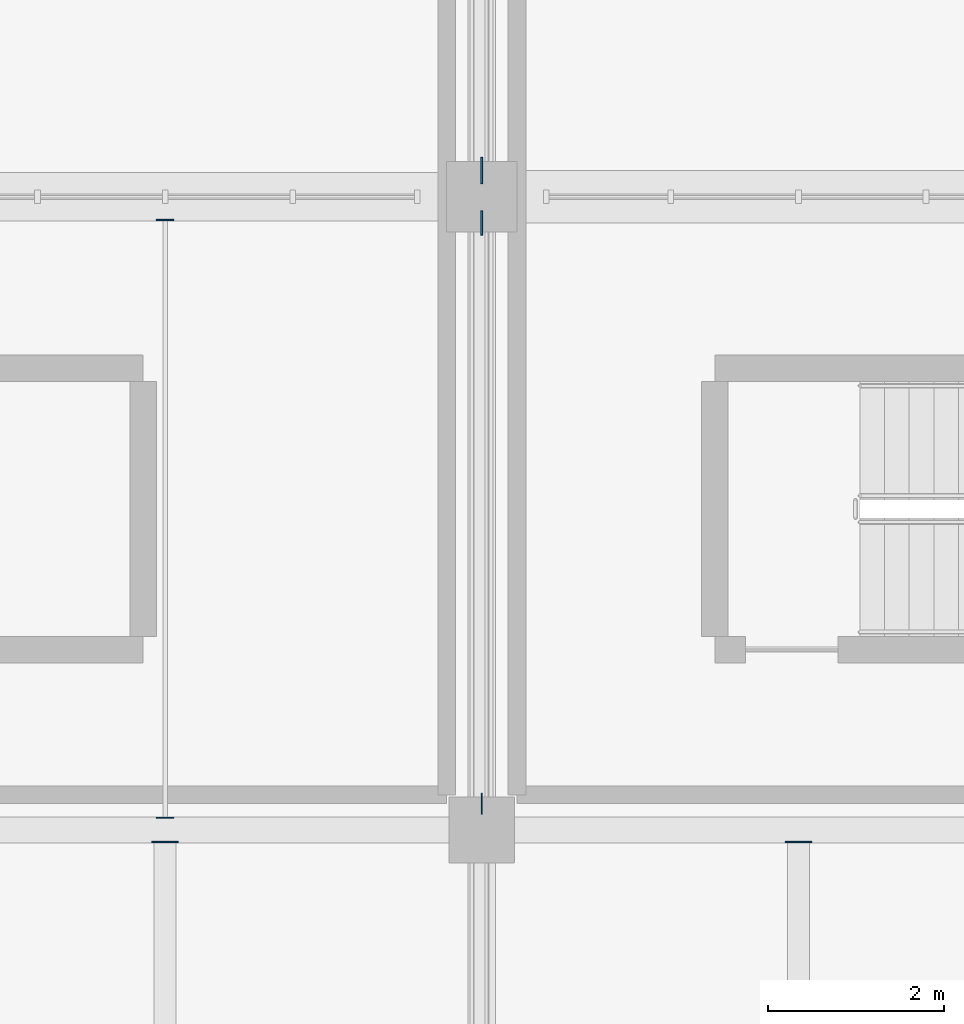
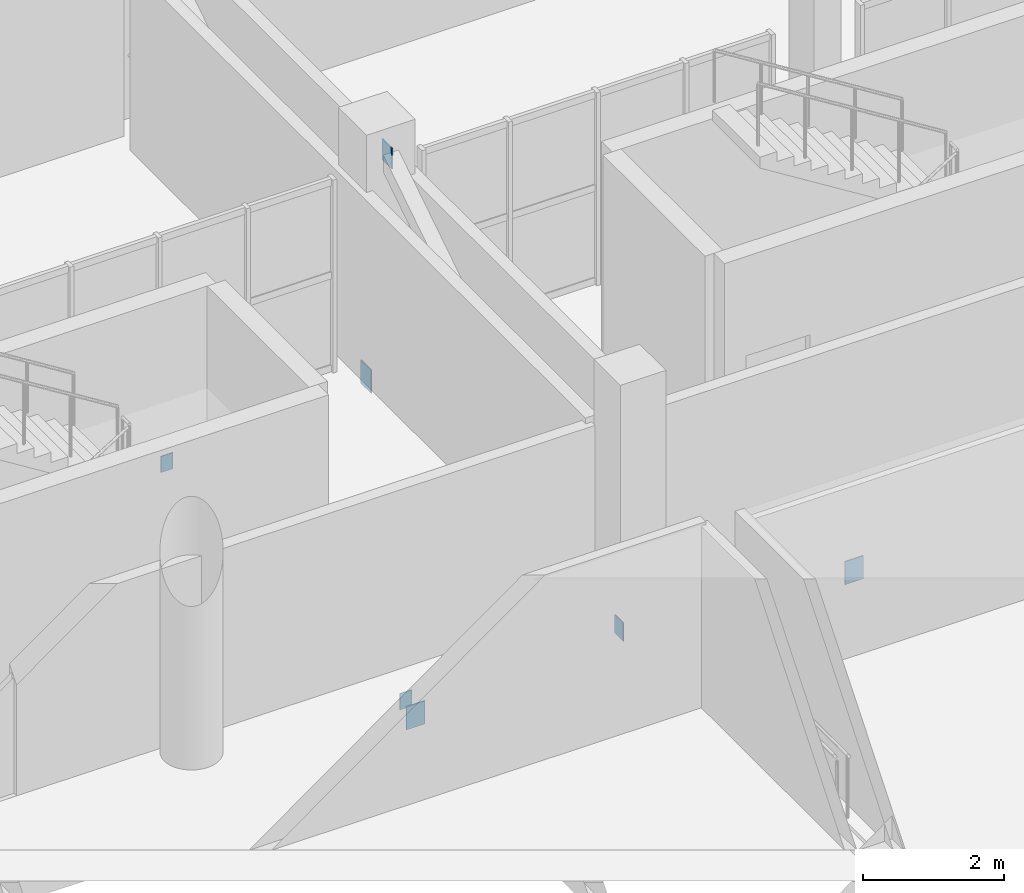
# One storey, part 62 of 90: 7 plates.
"""IFC4 building model written with IfcOpenShell, lengths in metres."""

from ifc_helpers import new_model, si_unit, direction, frame, origin, origin_2d, place, context, subcontext, project, spatial, rectangle, extrude, material, layer, layer_set, type_object, element, save


model = new_model("IFC4")

# Units and contexts
model_context = context("Model", 3, precision=1e-05, world=origin(), true_north=direction((0.0, 1.0)))
body_context = subcontext(model_context, "Body", "Model", "MODEL_VIEW")
ifc_project = project(units=[si_unit("LENGTHUNIT", "METRE"), si_unit("AREAUNIT", "SQUARE_METRE"), si_unit("VOLUMEUNIT", "CUBIC_METRE"), si_unit("PLANEANGLEUNIT", "RADIAN"), si_unit("MASSUNIT", "GRAM", prefix="KILO")], contexts=[model_context])

# Site, building, storey
site_placement = place(None, origin())
site = spatial("IfcSite", under=ifc_project, at=site_placement, CompositionType="ELEMENT")
building_placement = place(site_placement, origin())
building = spatial("IfcBuilding", under=site, at=building_placement, Name="Solanera Park Tramway Depot", CompositionType="ELEMENT")
storey_placement = place(building_placement, frame((0.0, 0.0, 9.0)))
storey = spatial("IfcBuildingStorey", under=building, at=storey_placement, Name="L02", CompositionType="ELEMENT", Elevation=9.0)

# Plates
ifc_material_1 = material(Name="Steel AS/NZS 3679.1 Grade 350", Category="steel")
ifc_layer_1 = layer(ifc_material_1, 0.013916015625)
ifc_layer_set_1 = layer_set([ifc_layer_1], Name="Steel AS/NZS 3679.1 Grade 350")
plate_type_1 = type_object("IfcPlateType", Name="Hollow End Cap and Base Plate 280x200x14", PredefinedType="USERDEFINED", material=ifc_layer_set_1)
for number, where, z_axis, x_axis, name in (
    (1, (147.60009765625, 18.138916015625, -0.5791015625), (0.0, 0.0, 1.0), (0.0, 1.0, 0.0), "Hollow Section Welded End Cap Plate #0052"),
    (2, (147.60009765625, 24.93603515625, -0.5791015625), (0.0, 0.0, 1.0), (0.0, 1.0, 0.0), "Hollow Section Welded End Cap Plate #0053"),
):
    element("IfcPlate", number, at=place(storey_placement, frame(where, z_axis=z_axis, x_axis=x_axis)), inside=storey, type_object=plate_type_1, Name=name, ObjectType="BASE PLATE", PredefinedType="USERDEFINED", context=body_context, shape_type="SweptSolid", body=[
        extrude(rectangle(XDim=0.013916015625, YDim=0.199951171875, at=origin_2d()), origin(), (0.0, 0.0, 1.0), 0.280029296875),
    ])
ifc_material_2 = material(Name="Steel AS/NZS 3679.1 Grade 350", Category="steel")
ifc_layer_2 = layer(ifc_material_2, 0.01611328125)
ifc_layer_set_2 = layer_set([ifc_layer_2], Name="Steel AS/NZS 3679.1 Grade 350")
plate_type_2 = type_object("IfcPlateType", Name="Hollow End Cap and Base Plate 320x240x16", PredefinedType="USERDEFINED", material=ifc_layer_set_2)
plate_1_placement = place(storey_placement, frame((151.199951171875, 18.300048828125, -0.7099609375), z_axis=(0.0, 0.0, 1.0), x_axis=(1.0, 0.0, 0.0)))
element("IfcPlate", 3, at=plate_1_placement, inside=storey, type_object=plate_type_2, Name="Hollow Section End Cap Plate #0009", ObjectType="BASE PLATE", PredefinedType="USERDEFINED", context=body_context, shape_type="SweptSolid", body=[
    extrude(rectangle(XDim=0.01611328125, YDim=0.239990234375, at=origin_2d()), origin(), (0.0, 0.0, 1.0), 0.320068359375),
])
ifc_material_3 = material(Name="Steel AS/NZS 3679.1 Grade 350", Category="steel")
ifc_layer_3 = layer(ifc_material_3, 0.01806640625)
ifc_layer_set_3 = layer_set([ifc_layer_3], Name="Steel AS/NZS 3679.1 Grade 350")
plate_type_3 = type_object("IfcPlateType", Name="Hollow End Cap and Base Plate 360x280x18", PredefinedType="USERDEFINED", material=ifc_layer_set_3)
plate_2_placement = place(storey_placement, frame((151.199951171875, 24.89990234375, 3.5), z_axis=(0.0, 0.0, 1.0), x_axis=(1.0, 0.0, 0.0)))
element("IfcPlate", 4, at=plate_2_placement, inside=storey, type_object=plate_type_3, Name="Hollow Section End Cap Plate #0010", ObjectType="BASE PLATE", PredefinedType="USERDEFINED", context=body_context, shape_type="SweptSolid", body=[
    extrude(rectangle(XDim=0.01806640625, YDim=0.280029296875, at=origin_2d()), origin(), (0.0, 0.0, 1.0), 0.360107421875),
])
ifc_material_4 = material(Name="Steel AS/NZS 3679.1 Grade 350", Category="steel")
ifc_layer_4 = layer(ifc_material_4, 0.02001953125)
ifc_layer_set_4 = layer_set([ifc_layer_4], Name="Steel AS/NZS 3679.1 Grade 350")
plate_type_4 = type_object("IfcPlateType", Name="Hollow End Cap and Base Plate 400x300x20", PredefinedType="USERDEFINED", material=ifc_layer_set_4)
for number, where, z_axis, x_axis, name in (
    (5, (151.199951171875, 25.5, -0.75), (0.0, 0.0, 1.0), (1.0, 0.0, 0.0), "Hollow Section End Cap Plate #0011"),
    (6, (147.60009765625, 17.864013671875, -0.739013671875), (0.0, 0.0, 1.0), (0.0, 1.0, 0.0), "Hollow Section Welded End Cap Plate #0037"),
    (7, (154.800048828125, 17.864013671875, -0.739013671875), (0.0, 0.0, 1.0), (0.0, 1.0, 0.0), "Hollow Section Welded End Cap Plate #0039"),
):
    element("IfcPlate", number, at=place(storey_placement, frame(where, z_axis=z_axis, x_axis=x_axis)), inside=storey, type_object=plate_type_4, Name=name, ObjectType="BASE PLATE", PredefinedType="USERDEFINED", context=body_context, shape_type="SweptSolid", body=[
        extrude(rectangle(XDim=0.02001953125, YDim=0.300048828125, at=origin_2d()), origin(), (0.0, 0.0, 1.0), 0.39990234375),
    ])

save(model, "model.ifc")
